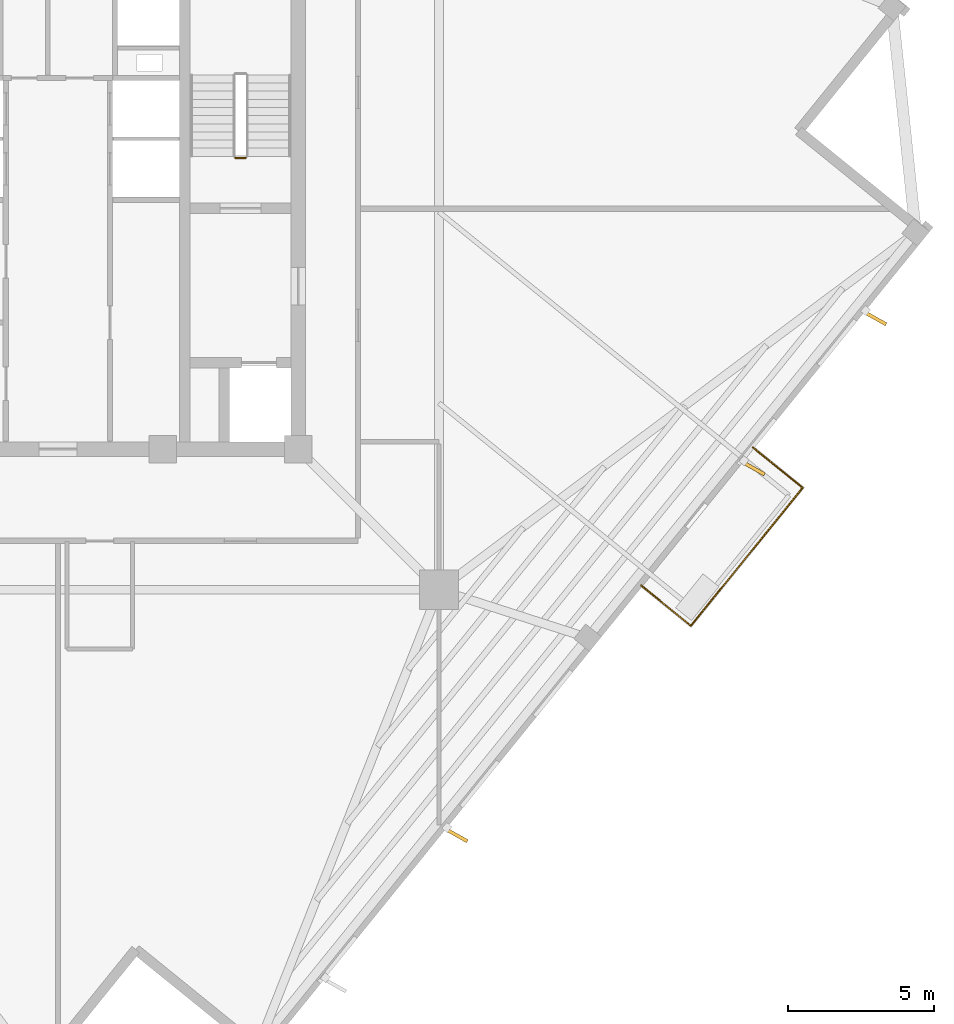
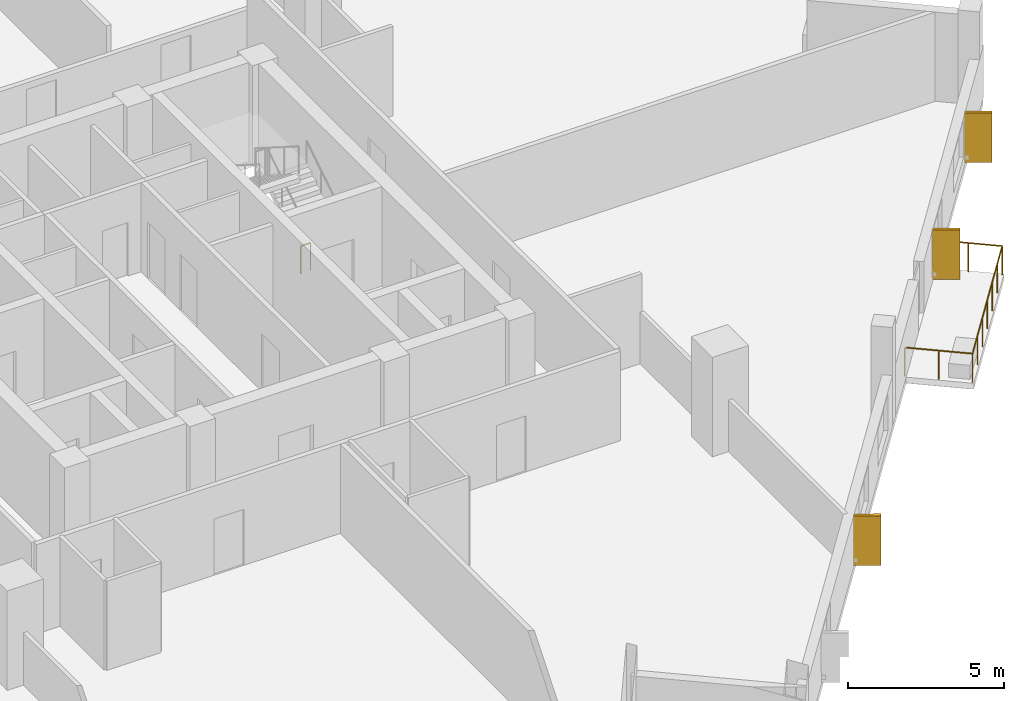
# One storey, part 7 of 9: 4 railings, 3 coverings.
"""IFC4 building model written with IfcOpenShell, lengths in metres."""

from ifc_helpers import new_model, si_unit, direction, frame, origin, origin_2d, place, context, subcontext, project, spatial, rectangle, circle, extrude, source, transform, mapped, material, layer, layer_set, type_object, element, save


model = new_model("IFC4")

# Units and contexts
model_context = context("Model", 3, precision=1e-05, world=origin(), true_north=direction((0.0, 1.0)))
body_context = subcontext(model_context, "Body", "Model", "MODEL_VIEW")
ifc_project = project(units=[si_unit("LENGTHUNIT", "METRE"), si_unit("AREAUNIT", "SQUARE_METRE"), si_unit("VOLUMEUNIT", "CUBIC_METRE"), si_unit("PLANEANGLEUNIT", "RADIAN"), si_unit("MASSUNIT", "GRAM", prefix="KILO"), si_unit("THERMODYNAMICTEMPERATUREUNIT", "KELVIN")], contexts=[model_context])

# Site, building, storey
site_placement = place(None, origin())
site = spatial("IfcSite", under=ifc_project, at=site_placement, CompositionType="ELEMENT")
building_placement = place(site_placement, origin())
building = spatial("IfcBuilding", under=site, at=building_placement, Name="Kosmvard Interchange Tower", CompositionType="ELEMENT")
storey_placement = place(building_placement, frame((0.0, 0.0, 256.300048828125)))
storey = spatial("IfcBuildingStorey", under=building, at=storey_placement, Name="L62", CompositionType="ELEMENT", Elevation=256.300048828125)

# Railings
ifc_material_1 = material(Name="Steel S355", Category="steel")
railing_type_1 = type_object("IfcRailingType", Name="Observation & Balcony Glass-Infill Balustrade 1150", PredefinedType="BALUSTRADE", material=ifc_material_1)
shared_shape_1 = source(origin(), body_context, "Body", "SweptSolid", [
    extrude(circle(Radius=0.02392578125, at=origin_2d()), frame((0.0, 0.0, 1.1259765625), z_axis=(0.777141488432, -0.629325914736, 0.0), x_axis=(0.629325914736, 0.777141488432, 0.0)), (0.0, 0.0, 1.0), 2.199951171875),
    extrude(circle(Radius=0.02099609375, at=origin_2d()), origin(), (0.0, 0.0, 1.0), 1.101806640625),
    extrude(circle(Radius=0.02099609375, at=origin_2d()), frame((0.85498046875, -0.6923828125, 0.0)), (0.0, 0.0, 1.0), 1.101806640625),
    extrude(circle(Radius=0.02099609375, at=origin_2d()), frame((1.709716796875, -1.384521484375, 0.0)), (0.0, 0.0, 1.0), 1.101806640625),
])
railing_1_placement = place(storey_placement, frame((20.023193359375, -12.93310546875, 0.0)))
element("IfcRailing", 1, at=railing_1_placement, inside=storey, type_object=railing_type_1, Name="L62 Outdoor Terrace Guard BAL-L62-SW-A", PredefinedType="BALUSTRADE", context=body_context, shape_type="MappedRepresentation", body=[
    mapped(shared_shape_1, transform((0.0, 0.0, 0.0), scale=1.0)),
])
shared_shape_2 = source(origin(), body_context, "Body", "SweptSolid", [
    extrude(circle(Radius=0.02392578125, at=origin_2d()), frame((0.0, 0.0, 1.1259765625), z_axis=(-0.777141488432, 0.629325914736, 0.0), x_axis=(-0.629325914736, -0.777141488432, 0.0)), (0.0, 0.0, 1.0), 2.199951171875),
    extrude(circle(Radius=0.02099609375, at=origin_2d()), origin(), (0.0, 0.0, 1.0), 1.101806640625),
    extrude(circle(Radius=0.02099609375, at=origin_2d()), frame((-0.85498046875, 0.6923828125, 0.0)), (0.0, 0.0, 1.0), 1.101806640625),
    extrude(circle(Radius=0.02099609375, at=origin_2d()), frame((-1.709716796875, 1.384521484375, 0.0)), (0.0, 0.0, 1.0), 1.101806640625),
])
railing_2_placement = place(storey_placement, frame((25.57177734375, -9.5771484375, 0.0)))
element("IfcRailing", 2, at=railing_2_placement, inside=storey, type_object=railing_type_1, Name="L62 Outdoor Terrace Guard BAL-L62-SW-C", PredefinedType="BALUSTRADE", context=body_context, shape_type="MappedRepresentation", body=[
    mapped(shared_shape_2, transform((0.0, 0.0, 0.0), scale=1.0)),
])
shared_shape_3 = source(origin(), body_context, "Body", "SweptSolid", [
    extrude(circle(Radius=0.02392578125, at=origin_2d()), frame((0.0, 0.0, 1.1259765625), z_axis=(0.629330626282, 0.777137673017, 0.0), x_axis=(-0.777137673017, 0.629330626282, 0.0)), (0.0, 0.0, 1.0), 6.099853515625),
    extrude(circle(Radius=0.02099609375, at=origin_2d()), origin(), (0.0, 0.0, 1.0), 1.101806640625),
    extrude(circle(Radius=0.02099609375, at=origin_2d()), frame((0.639892578125, 0.7900390625, 0.0)), (0.0, 0.0, 1.0), 1.101806640625),
    extrude(circle(Radius=0.02099609375, at=origin_2d()), frame((1.279541015625, 1.580078125, 0.0)), (0.0, 0.0, 1.0), 1.101806640625),
    extrude(circle(Radius=0.02099609375, at=origin_2d()), frame((1.91943359375, 2.3701171875, 0.0)), (0.0, 0.0, 1.0), 1.101806640625),
    extrude(circle(Radius=0.02099609375, at=origin_2d()), frame((2.559326171875, 3.160400390625, 0.0)), (0.0, 0.0, 1.0), 1.101806640625),
    extrude(circle(Radius=0.02099609375, at=origin_2d()), frame((3.198974609375, 3.950439453125, 0.0)), (0.0, 0.0, 1.0), 1.101806640625),
    extrude(circle(Radius=0.02099609375, at=origin_2d()), frame((3.8388671875, 4.740478515625, 0.0)), (0.0, 0.0, 1.0), 1.101806640625),
])
railing_3_placement = place(storey_placement, frame((21.73291015625, -14.317626953125, 0.0)))
element("IfcRailing", 3, at=railing_3_placement, inside=storey, type_object=railing_type_1, Name="L62 Outdoor Terrace Guard BAL-L62-SW-B", PredefinedType="BALUSTRADE", context=body_context, shape_type="MappedRepresentation", body=[
    mapped(shared_shape_3, transform((0.0, 0.0, 0.0), scale=1.0)),
])

# Coverings
ifc_material_2 = material(Name="Architectural anodised aluminium", Category="aluminium")
ifc_layer = layer(ifc_material_2, 0.1201171875, Name="Architectural anodised aluminium")
ifc_layer_set = layer_set([ifc_layer], Name="Architectural anodised aluminium")
covering_type = type_object("IfcCoveringType", Name="Rotating Vertical Sun-Breaker Fin 900x120 Aluminium", PredefinedType="CLADDING", material=ifc_layer_set)
shared_shape_4 = source(origin(), body_context, "Body", "SweptSolid", [
    extrude(rectangle(XDim=0.89990234375, YDim=0.1201171875, at=origin_2d()), origin(), (0.0, 0.0, 1.0), 1.93994140625),
])
for number, where, z_axis, x_axis, name in (
    (4, (13.66748046875, -21.49658203125, 0.0400390625), (0.0, 0.0, 1.0), (0.871983845799, -0.489534649095, 0.0), "L62 Rotating Vertical Sun-Breaker Fin 02"),
    (5, (23.86865234375, -8.8994140625, 0.0400390625), (0.0, 0.0, 1.0), (0.871983845799, -0.489534649095, 0.0), "L62 Rotating Vertical Sun-Breaker Fin 03"),
    (6, (28.041748046875, -3.74609375, 0.0400390625), (0.0, 0.0, 1.0), (0.871983845799, -0.489534649095, 0.0), "L62 Rotating Vertical Sun-Breaker Fin 04"),
):
    element("IfcCovering", number, at=place(storey_placement, frame(where, z_axis=z_axis, x_axis=x_axis)), inside=storey, type_object=covering_type, Name=name, PredefinedType="CLADDING", context=body_context, shape_type="MappedRepresentation", body=[
        mapped(shared_shape_4, transform((0.0, 0.0, 0.0), scale=1.0)),
    ])

# Railing
railing_type_2 = type_object("IfcRailingType", Name="Stair & Terrace Safety Guardrail 1100 Steel", PredefinedType="GUARDRAIL", material=ifc_material_1)
shared_shape_5 = source(origin(), body_context, "Body", "SweptSolid", [
    extrude(circle(Radius=0.02392578125, at=origin_2d()), frame((0.0, 0.0, 1.076171875), z_axis=(-1.0, 0.0, 0.0), x_axis=(0.0, -1.0, 0.0)), (0.0, 0.0, 1.0), 0.35986328125),
    extrude(circle(Radius=0.02099609375, at=origin_2d()), origin(), (0.0, 0.0, 1.0), 1.052001953125),
    extrude(circle(Radius=0.02099609375, at=origin_2d()), frame((-0.35986328125, 0.0, 0.0)), (0.0, 0.0, 1.0), 1.052001953125),
])
railing_4_placement = place(storey_placement, frame((6.449951171875, 1.75, 0.0)))
element("IfcRailing", 7, at=railing_4_placement, inside=storey, type_object=railing_type_2, Name="L62 ST-2 stair guard 4", PredefinedType="GUARDRAIL", context=body_context, shape_type="MappedRepresentation", body=[
    mapped(shared_shape_5, transform((0.0, 0.0, 0.0), scale=1.0)),
])

save(model, "model.ifc")
